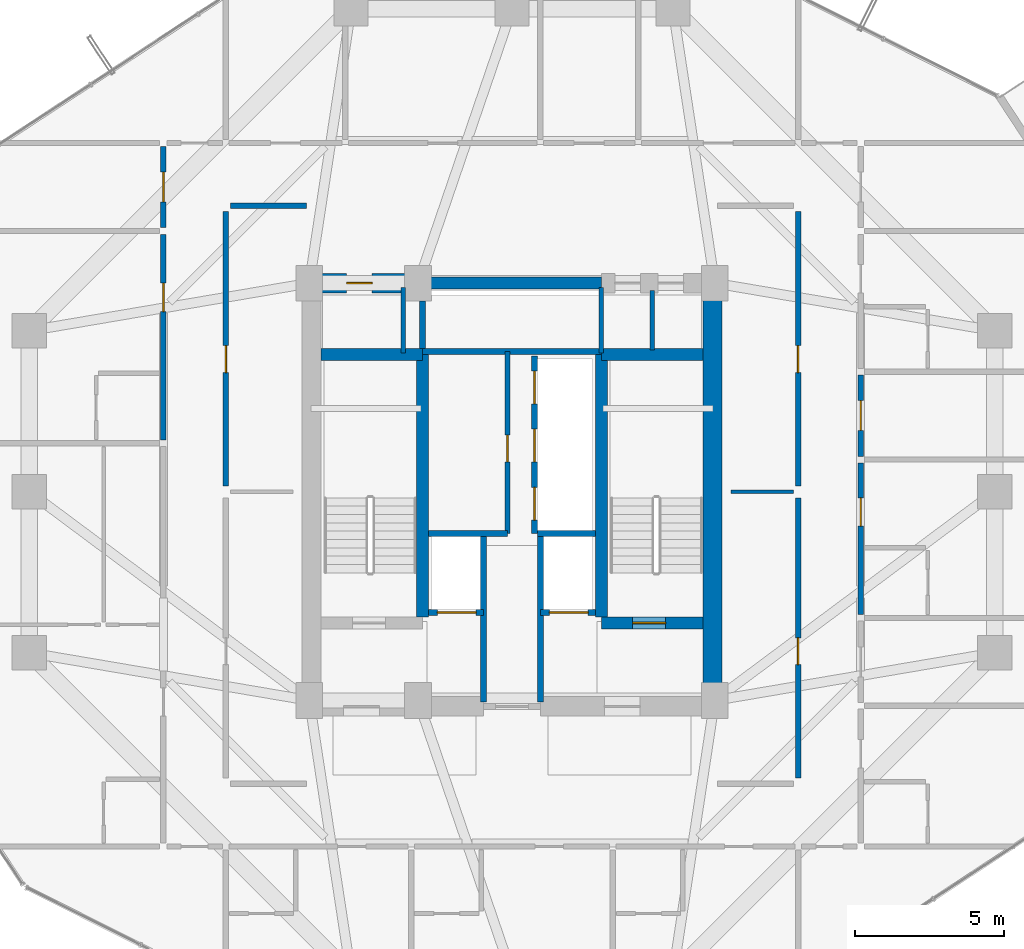
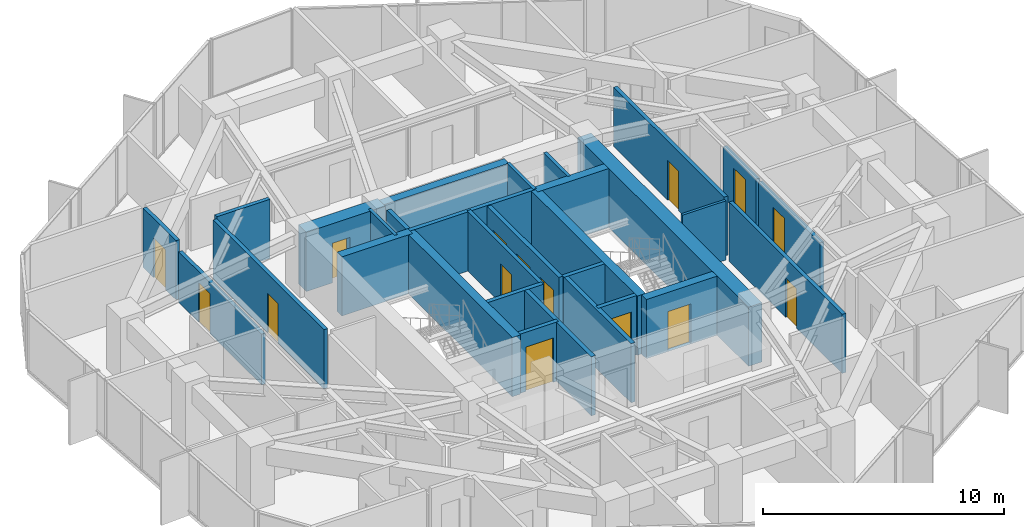
# One storey, part 29 of 33: 30 walls, 15 doors, 15 openings.
"""IFC4 building model written with IfcOpenShell, lengths in metres."""

from ifc_helpers import new_model, si_unit, direction, frame, frame_2d, origin, place, context, subcontext, project, spatial, rectangle, extrude, source, transform, mapped, material, layer, layer_set, type_object, element, fill, save


model = new_model("IFC4")

# Units and contexts
model_context = context("Model", 3, precision=1e-05, world=origin(), true_north=direction((0.0, 1.0)))
body_context = subcontext(model_context, "Body", "Model", "MODEL_VIEW")
ifc_project = project(units=[si_unit("LENGTHUNIT", "METRE"), si_unit("AREAUNIT", "SQUARE_METRE"), si_unit("VOLUMEUNIT", "CUBIC_METRE"), si_unit("PLANEANGLEUNIT", "RADIAN"), si_unit("MASSUNIT", "GRAM", prefix="KILO")], contexts=[model_context])

# Site, building, storey
site_placement = place(None, origin())
site = spatial("IfcSite", under=ifc_project, at=site_placement, CompositionType="ELEMENT")
building_placement = place(site_placement, origin())
building = spatial("IfcBuilding", under=site, at=building_placement, Name="Veraguas Prism Commons", CompositionType="ELEMENT")
storey_placement = place(building_placement, frame((0.0, 0.0, 139.25)))
storey = spatial("IfcBuildingStorey", under=building, at=storey_placement, Name="L39", CompositionType="ELEMENT", Elevation=139.25)

# Wall
ifc_material_1 = material(Name="Concrete C50/60", Category="concrete")
ifc_layer_1 = layer(ifc_material_1, 0.39990234375, Name="Clinic and Mid Core Shear Wall RC 400", Category="concrete")
ifc_layer_set_1 = layer_set([ifc_layer_1], Name="Concrete C50/60")
wall_type_1 = type_object("IfcWallType", Name="Clinic and Mid Core Shear Wall RC 400", PredefinedType="SHEAR", material=ifc_layer_set_1)
wall_1_placement = place(storey_placement, frame((21.0, 31.0, 0.0), z_axis=(0.0, 0.0, 1.0), x_axis=(1.0, 0.0, 0.0)))
element("IfcWall", 1, at=wall_1_placement, inside=storey, type_object=wall_type_1, Name="High-Rise Lift Bank Front Shear Wall L39", PredefinedType="SHEAR", context=body_context, shape_type="SweptSolid", body=[
    extrude(rectangle(XDim=6.0, YDim=0.39990234375, at=frame_2d((3.0, 0.0))), origin(), (0.0, 0.0, 1.0), 3.0),
])

# Wall, opening, door
wall_2_placement = place(storey_placement, frame((27.0, 19.60009765625, 0.0), z_axis=(0.0, 0.0, 1.0), x_axis=(1.0, 0.0, 0.0)))
wall_2 = element("IfcWall", 2, at=wall_2_placement, inside=storey, type_object=wall_type_1, Name="Stair ST-02 South Shear Wall L39", PredefinedType="SHEAR", context=body_context, shape_type="SweptSolid", body=[
    extrude(rectangle(XDim=3.39990234375, YDim=0.39990234375, at=frame_2d((1.699951171875, 0.0))), origin(), (0.0, 0.0, 1.0), 3.0),
])
opening_1_placement = place(wall_2_placement, frame((1.050048828125, 0.0, 0.0)))
opening_1 = element("IfcOpeningElement", 3, at=opening_1_placement, cuts=wall_2, Name="Opening DR-05", PredefinedType="OPENING", context=body_context, shape_type="SweptSolid", body=[
    extrude(rectangle(XDim=1.10009765625, YDim=2.030029296875, at=frame_2d((0.550048828125, 1.01513671875))), frame((0.0, 0.2099609375, 0.0), z_axis=(0.0, -1.0, 0.0), x_axis=(1.0, 0.0, 0.0)), (0.0, 0.0, 1.0), 0.419921875),
])
ifc_material_2 = material(Name="Steel fire-rated door assembly", Category="steel")
door_type_1 = type_object("IfcDoorType", Name="Protected Stair and Refuge Fire Door 1100x2030", OperationType="NOTDEFINED", PredefinedType="DOOR", material=ifc_material_2)
shared_shape_1 = source(origin(), body_context, "Body", "SweptSolid", [
    extrude(rectangle(XDim=1.10009765625, YDim=2.030029296875, at=frame_2d((0.550048828125, 1.01513671875))), frame((0.0, 0.02490234375, 0.0), z_axis=(0.0, -1.0, 0.0), x_axis=(1.0, 0.0, 0.0)), (0.0, 0.0, 1.0), 0.050048828125),
])
door_1_placement = place(opening_1_placement, origin())
door_1 = element("IfcDoor", 4, at=door_1_placement, inside=storey, type_object=door_type_1, Name="Stair ST-02 Enclosure Door L39", OperationType="SINGLE_SWING_LEFT", OverallHeight=2.030029296875, OverallWidth=1.10009765625, PredefinedType="DOOR", context=body_context, shape_type="MappedRepresentation", body=[
    mapped(shared_shape_1, transform((0.0, 0.0, 0.0), scale=1.0)),
])
fill(opening_1, door_1)

# Walls
for number, where, z_axis, x_axis, name in (
    (5, (21.0, 19.800048828125, 0.0), (0.0, 0.0, 1.0), (0.0, 1.0, 0.0), "Stair ST-01 Inner Shear Wall L39"),
    (6, (27.0, 19.800048828125, 0.0), (0.0, 0.0, 1.0), (0.0, 1.0, 0.0), "Stair ST-02 Inner Shear Wall L39"),
):
    element("IfcWall", number, at=place(storey_placement, frame(where, z_axis=z_axis, x_axis=x_axis)), inside=storey, type_object=wall_type_1, Name=name, PredefinedType="SHEAR", context=body_context, shape_type="SweptSolid", body=[
        extrude(rectangle(XDim=8.800048828125, YDim=0.39990234375, at=frame_2d((4.39990234375, 0.0))), origin(), (0.0, 0.0, 1.0), 3.0),
    ])
for number, where, z_axis, x_axis, name in (
    (7, (17.60009765625, 28.60009765625, 0.0), (0.0, 0.0, 1.0), (1.0, 0.0, 0.0), "Stair ST-01 North Shear Wall L39"),
    (8, (27.0, 28.60009765625, 0.0), (0.0, 0.0, 1.0), (1.0, 0.0, 0.0), "Stair ST-02 North Shear Wall L39"),
):
    element("IfcWall", number, at=place(storey_placement, frame(where, z_axis=z_axis, x_axis=x_axis)), inside=storey, type_object=wall_type_1, Name=name, PredefinedType="SHEAR", context=body_context, shape_type="SweptSolid", body=[
        extrude(rectangle(XDim=3.39990234375, YDim=0.39990234375, at=frame_2d((1.699951171875, 0.0))), origin(), (0.0, 0.0, 1.0), 3.0),
    ])
ifc_material_3 = material(Name="Concrete C55/67", Category="concrete")
ifc_layer_2 = layer(ifc_material_3, 0.64990234375, Name="Core Outer Shear Wall Mid RC 650", Category="concrete")
ifc_layer_set_2 = layer_set([ifc_layer_2], Name="Concrete C55/67")
wall_type_2 = type_object("IfcWallType", Name="Core Outer Shear Wall Mid RC 650", PredefinedType="SHEAR", material=ifc_layer_set_2)
wall_3_placement = place(storey_placement, frame((30.72509765625, 16.800048828125, 0.0), z_axis=(0.0, 0.0, 1.0), x_axis=(0.0, 1.0, 0.0)))
element("IfcWall", 9, at=wall_3_placement, inside=storey, type_object=wall_type_2, Name="Central Core East Shear Wall L39", PredefinedType="SHEAR", context=body_context, shape_type="SweptSolid", body=[
    extrude(rectangle(XDim=14.199951171875, YDim=0.64990234375, at=frame_2d((7.10009765625, 0.0))), origin(), (0.0, 0.0, 1.0), 3.0),
])

# Wall, opening, door
wall_4_placement = place(storey_placement, frame((17.199951171875, 31.0, 0.0), z_axis=(0.0, 0.0, 1.0), x_axis=(1.0, 0.0, 0.0)))
wall_4 = element("IfcWall", 10, at=wall_4_placement, inside=storey, type_object=wall_type_2, Name="Central Core North-West Shear Wall L39", PredefinedType="SHEAR", context=body_context, shape_type="SweptSolid", body=[
    extrude(rectangle(XDim=3.800048828125, YDim=0.64990234375, at=frame_2d((1.89990234375, 0.0))), origin(), (0.0, 0.0, 1.0), 3.0),
])
opening_2_placement = place(wall_4_placement, frame((1.25, 0.0, 0.0)))
opening_2 = element("IfcOpeningElement", 11, at=opening_2_placement, cuts=wall_4, Name="Opening DR-12", PredefinedType="OPENING", context=body_context, shape_type="SweptSolid", body=[
    extrude(rectangle(XDim=0.860107421875, YDim=2.010009765625, at=frame_2d((0.43017578125, 1.0048828125))), frame((0.0, 0.3349609375, 0.0), z_axis=(0.0, -1.0, 0.0), x_axis=(1.0, 0.0, 0.0)), (0.0, 0.0, 1.0), 0.669921875),
])
door_type_2 = type_object("IfcDoorType", Name="Core WC Fire Door 860x2010", OperationType="NOTDEFINED", PredefinedType="DOOR", material=ifc_material_2)
shared_shape_2 = source(origin(), body_context, "Body", "SweptSolid", [
    extrude(rectangle(XDim=0.860107421875, YDim=2.010009765625, at=frame_2d((0.43017578125, 1.0048828125))), frame((0.0, 0.02490234375, 0.0), z_axis=(0.0, -1.0, 0.0), x_axis=(1.0, 0.0, 0.0)), (0.0, 0.0, 1.0), 0.050048828125),
])
door_2_placement = place(opening_2_placement, origin())
door_2 = element("IfcDoor", 12, at=door_2_placement, inside=storey, type_object=door_type_2, Name="Core NW Service Door L39", OperationType="SINGLE_SWING_LEFT", OverallHeight=2.010009765625, OverallWidth=0.860107421875, PredefinedType="DOOR", context=body_context, shape_type="MappedRepresentation", body=[
    mapped(shared_shape_2, transform((0.0, 0.0, 0.0), scale=1.0)),
])
fill(opening_2, door_2)

ifc_material_4 = material(Name="Autoclaved aerated masonry block 10 MPa", Category="masonry")
ifc_layer_3 = layer(ifc_material_4, 0.179931640625, Name="Corridor and Inter-Tenancy Partition 180", Category="masonry")
ifc_layer_set_3 = layer_set([ifc_layer_3], Name="Autoclaved aerated masonry block 10 MPa")
wall_type_3 = type_object("IfcWallType", Name="Corridor and Inter-Tenancy Partition 180", PredefinedType="PARTITIONING", material=ifc_layer_set_3)
wall_5_placement = place(storey_placement, frame((23.85009765625, 22.60009765625, 0.0), z_axis=(0.0, 0.0, 1.0), x_axis=(0.0, 1.0, 0.0)))
wall_5 = element("IfcWall", 13, at=wall_5_placement, inside=storey, type_object=wall_type_3, Name="Reading Room Partition L39", PredefinedType="PARTITIONING", context=body_context, shape_type="SweptSolid", body=[
    extrude(rectangle(XDim=6.099853515625, YDim=0.179931640625, at=frame_2d((3.0498046875, 0.0))), origin(), (0.0, 0.0, 1.0), 3.0),
])
opening_3_placement = place(wall_5_placement, frame((2.39990234375, 0.0, 0.0)))
opening_3 = element("IfcOpeningElement", 14, at=opening_3_placement, cuts=wall_5, Name="Opening DR-14", PredefinedType="OPENING", context=body_context, shape_type="SweptSolid", body=[
    extrude(rectangle(XDim=0.89990234375, YDim=2.010009765625, at=frame_2d((0.449951171875, 1.0048828125))), frame((0.0, 0.099853515625, 0.0), z_axis=(0.0, -1.0, 0.0), x_axis=(1.0, 0.0, 0.0)), (0.0, 0.0, 1.0), 0.199951171875),
])
door_type_3 = type_object("IfcDoorType", Name="Core Service Room Fire Door 900x2010", OperationType="NOTDEFINED", PredefinedType="DOOR", material=ifc_material_2)
shared_shape_3 = source(origin(), body_context, "Body", "SweptSolid", [
    extrude(rectangle(XDim=0.89990234375, YDim=2.010009765625, at=frame_2d((0.449951171875, 1.0048828125))), frame((0.0, 0.02490234375, 0.0), z_axis=(0.0, -1.0, 0.0), x_axis=(1.0, 0.0, 0.0)), (0.0, 0.0, 1.0), 0.050048828125),
])
door_3_placement = place(opening_3_placement, origin())
door_3 = element("IfcDoor", 15, at=door_3_placement, inside=storey, type_object=door_type_3, Name="Reading Room Door L39", OperationType="SINGLE_SWING_RIGHT", OverallHeight=2.010009765625, OverallWidth=0.89990234375, PredefinedType="DOOR", context=body_context, shape_type="MappedRepresentation", body=[
    mapped(shared_shape_3, transform((0.0, 0.0, 0.0), scale=1.0)),
])
fill(opening_3, door_3)

wall_6_placement = place(storey_placement, frame((14.39990234375, 24.199951171875, 0.0), z_axis=(0.0, 0.0, 1.0), x_axis=(0.0, 1.0, 0.0)))
wall_6 = element("IfcWall", 16, at=wall_6_placement, inside=storey, type_object=wall_type_3, Name="WL-L39-IRW2", PredefinedType="PARTITIONING", context=body_context, shape_type="SweptSolid", body=[
    extrude(rectangle(XDim=9.199951171875, YDim=0.179931640625, at=frame_2d((4.60009765625, 0.0))), origin(), (0.0, 0.0, 1.0), 3.0),
])
opening_4_placement = place(wall_6_placement, frame((3.800048828125, 0.0, 0.0)))
opening_4 = element("IfcOpeningElement", 17, at=opening_4_placement, cuts=wall_6, Name="Opening DR-14", PredefinedType="OPENING", context=body_context, shape_type="SweptSolid", body=[
    extrude(rectangle(XDim=0.89990234375, YDim=2.010009765625, at=frame_2d((0.449951171875, 1.0048828125))), frame((0.0, 0.099853515625, 0.0), z_axis=(0.0, -1.0, 0.0), x_axis=(1.0, 0.0, 0.0)), (0.0, 0.0, 1.0), 0.199951171875),
])
door_4_placement = place(opening_4_placement, origin())
door_4 = element("IfcDoor", 18, at=door_4_placement, inside=storey, type_object=door_type_3, Name="Co-op Cycle and Pram Store Door L39", OperationType="SINGLE_SWING_RIGHT", OverallHeight=2.010009765625, OverallWidth=0.89990234375, PredefinedType="DOOR", context=body_context, shape_type="MappedRepresentation", body=[
    mapped(shared_shape_3, transform((0.0, 0.0, 0.0), scale=1.0)),
])
fill(opening_4, door_4)

wall_7_placement = place(storey_placement, frame((33.60009765625, 14.39990234375, 0.0), z_axis=(0.0, 0.0, 1.0), x_axis=(0.0, 1.0, 0.0)))
wall_7 = element("IfcWall", 19, at=wall_7_placement, inside=storey, type_object=wall_type_3, Name="WL-L39-IRE1", PredefinedType="PARTITIONING", context=body_context, shape_type="SweptSolid", body=[
    extrude(rectangle(XDim=9.400146484375, YDim=0.179931640625, at=frame_2d((4.7001953125, 0.0))), origin(), (0.0, 0.0, 1.0), 3.0),
])
opening_5_placement = place(wall_7_placement, frame((3.800048828125, 0.0, 0.0)))
opening_5 = element("IfcOpeningElement", 20, at=opening_5_placement, cuts=wall_7, Name="Opening DR-14", PredefinedType="OPENING", context=body_context, shape_type="SweptSolid", body=[
    extrude(rectangle(XDim=0.89990234375, YDim=2.010009765625, at=frame_2d((0.449951171875, 1.0048828125))), frame((0.0, 0.099853515625, 0.0), z_axis=(0.0, -1.0, 0.0), x_axis=(1.0, 0.0, 0.0)), (0.0, 0.0, 1.0), 0.199951171875),
])
door_5_placement = place(opening_5_placement, origin())
door_5 = element("IfcDoor", 21, at=door_5_placement, inside=storey, type_object=door_type_3, Name="Shared Laundry Annex Door L39", OperationType="SINGLE_SWING_LEFT", OverallHeight=2.010009765625, OverallWidth=0.89990234375, PredefinedType="DOOR", context=body_context, shape_type="MappedRepresentation", body=[
    mapped(shared_shape_3, transform((0.0, 0.0, 0.0), scale=1.0)),
])
fill(opening_5, door_5)

wall_8_placement = place(storey_placement, frame((33.60009765625, 24.199951171875, 0.0), z_axis=(0.0, 0.0, 1.0), x_axis=(0.0, 1.0, 0.0)))
wall_8 = element("IfcWall", 22, at=wall_8_placement, inside=storey, type_object=wall_type_3, Name="WL-L39-IRE2", PredefinedType="PARTITIONING", context=body_context, shape_type="SweptSolid", body=[
    extrude(rectangle(XDim=9.199951171875, YDim=0.179931640625, at=frame_2d((4.60009765625, 0.0))), origin(), (0.0, 0.0, 1.0), 3.0),
])
opening_6_placement = place(wall_8_placement, frame((3.800048828125, 0.0, 0.0)))
opening_6 = element("IfcOpeningElement", 23, at=opening_6_placement, cuts=wall_8, Name="Opening DR-14", PredefinedType="OPENING", context=body_context, shape_type="SweptSolid", body=[
    extrude(rectangle(XDim=0.89990234375, YDim=2.010009765625, at=frame_2d((0.449951171875, 1.0048828125))), frame((0.0, 0.099853515625, 0.0), z_axis=(0.0, -1.0, 0.0), x_axis=(1.0, 0.0, 0.0)), (0.0, 0.0, 1.0), 0.199951171875),
])
door_6_placement = place(opening_6_placement, origin())
door_6 = element("IfcDoor", 24, at=door_6_placement, inside=storey, type_object=door_type_3, Name="Community Reading Alcove Door L39", OperationType="SINGLE_SWING_RIGHT", OverallHeight=2.010009765625, OverallWidth=0.89990234375, PredefinedType="DOOR", context=body_context, shape_type="MappedRepresentation", body=[
    mapped(shared_shape_3, transform((0.0, 0.0, 0.0), scale=1.0)),
])
fill(opening_6, door_6)

# Wall
wall_9_placement = place(storey_placement, frame((14.550048828125, 33.60009765625, 0.0), z_axis=(0.0, 0.0, 1.0), x_axis=(1.0, 0.0, 0.0)))
element("IfcWall", 25, at=wall_9_placement, inside=storey, type_object=wall_type_3, Name="WL-L39-IRWN", PredefinedType="PARTITIONING", context=body_context, shape_type="SweptSolid", body=[
    extrude(rectangle(XDim=2.550048828125, YDim=0.179931640625, at=frame_2d((1.27490234375, 0.0))), origin(), (0.0, 0.0, 1.0), 3.0),
])

# Wall, opening, door
wall_10_placement = place(storey_placement, frame((12.300048828125, 32.860107421875, 0.0), z_axis=(0.0, 0.0, 1.0), x_axis=(0.0, 1.0, 0.0)))
wall_10 = element("IfcWall", 26, at=wall_10_placement, inside=storey, type_object=wall_type_3, Name="WL-L39-PT032", PredefinedType="PARTITIONING", context=body_context, shape_type="SweptSolid", body=[
    extrude(rectangle(XDim=2.72998046875, YDim=0.179931640625, at=frame_2d((1.364990234375, 0.0))), origin(), (0.0, 0.0, 1.0), 3.0),
])
opening_7_placement = place(wall_10_placement, frame((0.864990234375, 0.0, 0.0)))
opening_7 = element("IfcOpeningElement", 27, at=opening_7_placement, cuts=wall_10, Name="Opening DR-13", PredefinedType="OPENING", context=body_context, shape_type="SweptSolid", body=[
    extrude(rectangle(XDim=1.0, YDim=2.010009765625, at=frame_2d((0.5, 1.0048828125))), frame((0.0, 0.099853515625, 0.0), z_axis=(0.0, -1.0, 0.0), x_axis=(1.0, 0.0, 0.0)), (0.0, 0.0, 1.0), 0.199951171875),
])
door_type_4 = type_object("IfcDoorType", Name="Core Accessible WC and Clinic Fire Door 1000x2010", OperationType="NOTDEFINED", PredefinedType="DOOR", material=ifc_material_2)
shared_shape_4 = source(origin(), body_context, "Body", "SweptSolid", [
    extrude(rectangle(XDim=1.0, YDim=2.010009765625, at=frame_2d((0.5, 1.0048828125))), frame((0.0, 0.02490234375, 0.0), z_axis=(0.0, -1.0, 0.0), x_axis=(1.0, 0.0, 0.0)), (0.0, 0.0, 1.0), 0.050048828125),
])
door_7_placement = place(opening_7_placement, origin())
door_7 = element("IfcDoor", 28, at=door_7_placement, inside=storey, type_object=door_type_4, Name="Quiet Study W Door", OperationType="SINGLE_SWING_LEFT", OverallHeight=2.010009765625, OverallWidth=1.0, PredefinedType="DOOR", context=body_context, shape_type="MappedRepresentation", body=[
    mapped(shared_shape_4, transform((0.0, 0.0, 0.0), scale=1.0)),
])
fill(opening_7, door_7)

wall_11_placement = place(storey_placement, frame((12.300048828125, 25.738037109375, 0.0), z_axis=(0.0, 0.0, 1.0), x_axis=(0.0, 1.0, 0.0)))
wall_11 = element("IfcWall", 29, at=wall_11_placement, inside=storey, type_object=wall_type_3, Name="WL-L39-PT034", PredefinedType="PARTITIONING", context=body_context, shape_type="SweptSolid", body=[
    extrude(rectangle(XDim=6.90185546875, YDim=0.179931640625, at=frame_2d((3.450927734375, 0.0))), origin(), (0.0, 0.0, 1.0), 2.580078125),
])
opening_8_placement = place(wall_11_placement, frame((4.30859375, 0.0, 0.0)))
opening_8 = element("IfcOpeningElement", 30, at=opening_8_placement, cuts=wall_11, Name="Opening DR-01", PredefinedType="OPENING", context=body_context, shape_type="SweptSolid", body=[
    extrude(rectangle(XDim=0.949951171875, YDim=2.02001953125, at=frame_2d((0.47509765625, 1.010009765625))), frame((0.0, 0.099853515625, 0.0), z_axis=(0.0, -1.0, 0.0), x_axis=(1.0, 0.0, 0.0)), (0.0, 0.0, 1.0), 0.199951171875),
])
ifc_material_5 = material(Name="Anodised aluminium EN AW-6063 T6", Category="aluminium")
door_type_5 = type_object("IfcDoorType", Name="Apartment Entrance Fire Door 950x2020", OperationType="NOTDEFINED", PredefinedType="DOOR", material=ifc_material_5)
shared_shape_5 = source(origin(), body_context, "Body", "SweptSolid", [
    extrude(rectangle(XDim=0.949951171875, YDim=2.02001953125, at=frame_2d((0.47509765625, 1.010009765625))), frame((0.0, 0.02490234375, 0.0), z_axis=(0.0, -1.0, 0.0), x_axis=(1.0, 0.0, 0.0)), (0.0, 0.0, 1.0), 0.050048828125),
])
door_8_placement = place(opening_8_placement, origin())
door_8 = element("IfcDoor", 31, at=door_8_placement, inside=storey, type_object=door_type_5, Name="Studio 39E Entrance Door", OperationType="SINGLE_SWING_RIGHT", OverallHeight=2.02001953125, OverallWidth=0.949951171875, PredefinedType="DOOR", context=body_context, shape_type="MappedRepresentation", body=[
    mapped(shared_shape_5, transform((0.0, 0.0, 0.0), scale=1.0)),
])
fill(opening_8, door_8)

wall_12_placement = place(storey_placement, frame((35.699951171875, 25.19189453125, 0.0), z_axis=(0.0, 0.0, 1.0), x_axis=(0.0, 1.0, 0.0)))
wall_12 = element("IfcWall", 32, at=wall_12_placement, inside=storey, type_object=wall_type_3, Name="WL-L39-PT045", PredefinedType="PARTITIONING", context=body_context, shape_type="SweptSolid", body=[
    extrude(rectangle(XDim=2.730224609375, YDim=0.179931640625, at=frame_2d((1.365234375, 0.0))), origin(), (0.0, 0.0, 1.0), 2.580078125),
])
opening_9_placement = place(wall_12_placement, frame((0.864990234375, 0.0, 0.0)))
opening_9 = element("IfcOpeningElement", 33, at=opening_9_placement, cuts=wall_12, Name="Opening DR-13", PredefinedType="OPENING", context=body_context, shape_type="SweptSolid", body=[
    extrude(rectangle(XDim=1.0, YDim=2.010009765625, at=frame_2d((0.5, 1.0048828125))), frame((0.0, 0.099853515625, 0.0), z_axis=(0.0, -1.0, 0.0), x_axis=(1.0, 0.0, 0.0)), (0.0, 0.0, 1.0), 0.199951171875),
])
door_9_placement = place(opening_9_placement, origin())
door_9 = element("IfcDoor", 34, at=door_9_placement, inside=storey, type_object=door_type_4, Name="Quiet Study E Door", OperationType="SINGLE_SWING_LEFT", OverallHeight=2.010009765625, OverallWidth=1.0, PredefinedType="DOOR", context=body_context, shape_type="MappedRepresentation", body=[
    mapped(shared_shape_4, transform((0.0, 0.0, 0.0), scale=1.0)),
])
fill(opening_9, door_9)

wall_13_placement = place(storey_placement, frame((35.699951171875, 19.8779296875, 0.0), z_axis=(0.0, 0.0, 1.0), x_axis=(0.0, 1.0, 0.0)))
wall_13 = element("IfcWall", 35, at=wall_13_placement, inside=storey, type_object=wall_type_3, Name="WL-L39-PT047", PredefinedType="PARTITIONING", context=body_context, shape_type="SweptSolid", body=[
    extrude(rectangle(XDim=5.093994140625, YDim=0.179931640625, at=frame_2d((2.546875, 0.0))), origin(), (0.0, 0.0, 1.0), 2.580078125),
])
opening_10_placement = place(wall_13_placement, frame((2.970703125, 0.0, 0.0)))
opening_10 = element("IfcOpeningElement", 36, at=opening_10_placement, cuts=wall_13, Name="Opening DR-01", PredefinedType="OPENING", context=body_context, shape_type="SweptSolid", body=[
    extrude(rectangle(XDim=0.949951171875, YDim=2.02001953125, at=frame_2d((0.47509765625, 1.010009765625))), frame((0.0, 0.099853515625, 0.0), z_axis=(0.0, -1.0, 0.0), x_axis=(1.0, 0.0, 0.0)), (0.0, 0.0, 1.0), 0.199951171875),
])
door_10_placement = place(opening_10_placement, origin())
door_10 = element("IfcDoor", 37, at=door_10_placement, inside=storey, type_object=door_type_5, Name="Studio 39G Entrance Door", OperationType="SINGLE_SWING_RIGHT", OverallHeight=2.02001953125, OverallWidth=0.949951171875, PredefinedType="DOOR", context=body_context, shape_type="MappedRepresentation", body=[
    mapped(shared_shape_5, transform((0.0, 0.0, 0.0), scale=1.0)),
])
fill(opening_10, door_10)

# Wall
ifc_material_6 = material(Name="Lightweight acoustic gypsum board")
ifc_layer_4 = layer(ifc_material_6, 0.125, Name="Internal Apartment Room Partition 125")
ifc_layer_set_4 = layer_set([ifc_layer_4], Name="Lightweight acoustic gypsum board")
wall_type_4 = type_object("IfcWallType", Name="Internal Apartment Room Partition 125", PredefinedType="PARTITIONING", material=ifc_layer_set_4)
wall_14_placement = place(storey_placement, frame((31.35009765625, 24.0, 0.0), z_axis=(0.0, 0.0, 1.0), x_axis=(1.0, 0.0, 0.0)))
element("IfcWall", 38, at=wall_14_placement, inside=storey, type_object=wall_type_4, Name="WL-L39-IREM", PredefinedType="PARTITIONING", context=body_context, shape_type="SweptSolid", body=[
    extrude(rectangle(XDim=2.099853515625, YDim=0.125, at=frame_2d((1.0498046875, 0.0))), origin(), (0.0, 0.0, 1.0), 3.0),
])

# Wall, opening, door
ifc_layer_5 = layer(ifc_material_4, 0.199951171875, Name="Rated Shaft and Lobby Block Wall 200", Category="masonry")
ifc_layer_set_5 = layer_set([ifc_layer_5], Name="Autoclaved aerated masonry block 10 MPa")
wall_type_5 = type_object("IfcWallType", Name="Rated Shaft and Lobby Block Wall 200", PredefinedType="SOLIDWALL", material=ifc_layer_set_5)
wall_15_placement = place(storey_placement, frame((21.199951171875, 19.949951171875, 0.0), z_axis=(0.0, 0.0, 1.0), x_axis=(1.0, 0.0, 0.0)))
wall_15 = element("IfcWall", 39, at=wall_15_placement, inside=storey, type_object=wall_type_5, Name="Firefighting Lift FFL-1 Front Wall L39", PredefinedType="SOLIDWALL", context=body_context, shape_type="SweptSolid", body=[
    extrude(rectangle(XDim=1.85009765625, YDim=0.199951171875, at=frame_2d((0.925048828125, 0.0))), origin(), (0.0, 0.0, 1.0), 3.0),
])
opening_11_placement = place(wall_15_placement, frame((0.300048828125, 0.0, 0.0)))
opening_11 = element("IfcOpeningElement", 40, at=opening_11_placement, cuts=wall_15, Name="Opening LD-02", PredefinedType="OPENING", context=body_context, shape_type="SweptSolid", body=[
    extrude(rectangle(XDim=1.300048828125, YDim=2.25, at=frame_2d((0.64990234375, 1.125))), frame((0.0, 0.10986328125, 0.0), z_axis=(0.0, -1.0, 0.0), x_axis=(1.0, 0.0, 0.0)), (0.0, 0.0, 1.0), 0.219970703125),
])
ifc_material_7 = material(Name="Stainless steel AISI 316", Category="steel")
door_type_6 = type_object("IfcDoorType", Name="Firefighting Lift Sliding Landing Door 1300x2250", OperationType="NOTDEFINED", PredefinedType="DOOR", material=ifc_material_7)
shared_shape_6 = source(origin(), body_context, "Body", "SweptSolid", [
    extrude(rectangle(XDim=1.300048828125, YDim=2.25, at=frame_2d((0.64990234375, 1.125))), frame((0.0, 0.02490234375, 0.0), z_axis=(0.0, -1.0, 0.0), x_axis=(1.0, 0.0, 0.0)), (0.0, 0.0, 1.0), 0.050048828125),
])
door_11_placement = place(opening_11_placement, origin())
door_11 = element("IfcDoor", 41, at=door_11_placement, inside=storey, type_object=door_type_6, Name="Firefighting Lift FFL-1 Landing Door L39", OperationType="SLIDING_TO_LEFT", OverallHeight=2.25, OverallWidth=1.300048828125, PredefinedType="DOOR", context=body_context, shape_type="MappedRepresentation", body=[
    mapped(shared_shape_6, transform((0.0, 0.0, 0.0), scale=1.0)),
])
fill(opening_11, door_11)

wall_16_placement = place(storey_placement, frame((24.949951171875, 19.949951171875, 0.0), z_axis=(0.0, 0.0, 1.0), x_axis=(1.0, 0.0, 0.0)))
wall_16 = element("IfcWall", 42, at=wall_16_placement, inside=storey, type_object=wall_type_5, Name="Firefighting Lift FFL-2 Front Wall L39", PredefinedType="SOLIDWALL", context=body_context, shape_type="SweptSolid", body=[
    extrude(rectangle(XDim=1.85009765625, YDim=0.199951171875, at=frame_2d((0.925048828125, 0.0))), origin(), (0.0, 0.0, 1.0), 3.0),
])
opening_12_placement = place(wall_16_placement, frame((0.300048828125, 0.0, 0.0)))
opening_12 = element("IfcOpeningElement", 43, at=opening_12_placement, cuts=wall_16, Name="Opening LD-02", PredefinedType="OPENING", context=body_context, shape_type="SweptSolid", body=[
    extrude(rectangle(XDim=1.300048828125, YDim=2.25, at=frame_2d((0.64990234375, 1.125))), frame((0.0, 0.10986328125, 0.0), z_axis=(0.0, -1.0, 0.0), x_axis=(1.0, 0.0, 0.0)), (0.0, 0.0, 1.0), 0.219970703125),
])
door_12_placement = place(opening_12_placement, origin())
door_12 = element("IfcDoor", 44, at=door_12_placement, inside=storey, type_object=door_type_6, Name="Firefighting Lift FFL-2 Front Wall L39", OperationType="SLIDING_TO_LEFT", OverallHeight=2.25, OverallWidth=1.300048828125, PredefinedType="DOOR", context=body_context, shape_type="MappedRepresentation", body=[
    mapped(shared_shape_6, transform((0.0, 0.0, 0.0), scale=1.0)),
])
fill(opening_12, door_12)

# Walls
for number, where, z_axis, x_axis, name in (
    (45, (23.050048828125, 16.949951171875, 0.0), (0.0, 0.0, 1.0), (0.0, 1.0, 0.0), "West FF Lobby Divider Wall L39"),
    (46, (24.949951171875, 16.949951171875, 0.0), (0.0, 0.0, 1.0), (0.0, 1.0, 0.0), "East FF Lobby Divider Wall L39"),
):
    element("IfcWall", number, at=place(storey_placement, frame(where, z_axis=z_axis, x_axis=x_axis)), inside=storey, type_object=wall_type_5, Name=name, PredefinedType="SOLIDWALL", context=body_context, shape_type="SweptSolid", body=[
        extrude(rectangle(XDim=5.60009765625, YDim=0.199951171875, at=frame_2d((2.800048828125, 0.0))), origin(), (0.0, 0.0, 1.0), 3.0),
    ])
wall_17_placement = place(storey_placement, frame((21.199951171875, 22.60009765625, 0.0), z_axis=(0.0, 0.0, 1.0), x_axis=(1.0, 0.0, 0.0)))
element("IfcWall", 47, at=wall_17_placement, inside=storey, type_object=wall_type_5, Name="Firefighting Lift FFL-1 Rear Wall L39", PredefinedType="SOLIDWALL", context=body_context, shape_type="SweptSolid", body=[
    extrude(rectangle(XDim=2.650146484375, YDim=0.199951171875, at=frame_2d((1.3251953125, 0.0))), origin(), (0.0, 0.0, 1.0), 3.0),
])
wall_18_placement = place(storey_placement, frame((24.85009765625, 22.60009765625, 0.0), z_axis=(0.0, 0.0, 1.0), x_axis=(1.0, 0.0, 0.0)))
element("IfcWall", 48, at=wall_18_placement, inside=storey, type_object=wall_type_5, Name="Firefighting Lift FFL-2 Rear Wall L39", PredefinedType="SOLIDWALL", context=body_context, shape_type="SweptSolid", body=[
    extrude(rectangle(XDim=1.949951171875, YDim=0.199951171875, at=frame_2d((0.97509765625, 0.0))), origin(), (0.0, 0.0, 1.0), 3.0),
])
wall_19_placement = place(storey_placement, frame((21.0, 28.699951171875, 0.0), z_axis=(0.0, 0.0, 1.0), x_axis=(1.0, 0.0, 0.0)))
element("IfcWall", 49, at=wall_19_placement, inside=storey, type_object=wall_type_5, Name="High-Rise Lift Bank Rear Shaft Wall L39", PredefinedType="SOLIDWALL", context=body_context, shape_type="SweptSolid", body=[
    extrude(rectangle(XDim=6.0, YDim=0.199951171875, at=frame_2d((3.0, 0.0))), origin(), (0.0, 0.0, 1.0), 3.0),
])
wall_20_placement = place(storey_placement, frame((21.0, 28.800048828125, 0.0), z_axis=(0.0, 0.0, 1.0), x_axis=(0.0, 1.0, 0.0)))
element("IfcWall", 50, at=wall_20_placement, inside=storey, type_object=wall_type_5, Name="High-Rise Lift Bank West Shaft Wall L39", PredefinedType="SOLIDWALL", context=body_context, shape_type="SweptSolid", body=[
    extrude(rectangle(XDim=1.599853515625, YDim=0.199951171875, at=frame_2d((0.7998046875, 0.0))), origin(), (0.0, 0.0, 1.0), 3.0),
])

# Wall, openings, doors
wall_21_placement = place(storey_placement, frame((24.75, 22.60009765625, 0.0), z_axis=(0.0, 0.0, 1.0), x_axis=(0.0, 1.0, 0.0)))
wall_21 = element("IfcWall", 51, at=wall_21_placement, inside=storey, type_object=wall_type_5, Name="Mid-Rise Lift Bank Front Wall L39", PredefinedType="SOLIDWALL", context=body_context, shape_type="SweptSolid", body=[
    extrude(rectangle(XDim=5.949951171875, YDim=0.199951171875, at=frame_2d((2.97509765625, 0.0))), origin(), (0.0, 0.0, 1.0), 3.0),
])
opening_13_placement = place(wall_21_placement, frame((0.449951171875, 0.0, 0.0)))
opening_13 = element("IfcOpeningElement", 52, at=opening_13_placement, cuts=wall_21, Name="Opening LD-01", PredefinedType="OPENING", context=body_context, shape_type="SweptSolid", body=[
    extrude(rectangle(XDim=1.10009765625, YDim=2.080078125, at=frame_2d((0.550048828125, 1.0400390625))), frame((0.0, 0.10986328125, 0.0), z_axis=(0.0, -1.0, 0.0), x_axis=(1.0, 0.0, 0.0)), (0.0, 0.0, 1.0), 0.219970703125),
])
opening_14_placement = place(wall_21_placement, frame((2.39990234375, 0.0, 0.0)))
opening_14 = element("IfcOpeningElement", 53, at=opening_14_placement, cuts=wall_21, Name="Opening LD-01", PredefinedType="OPENING", context=body_context, shape_type="SweptSolid", body=[
    extrude(rectangle(XDim=1.10009765625, YDim=2.080078125, at=frame_2d((0.550048828125, 1.0400390625))), frame((0.0, 0.10986328125, 0.0), z_axis=(0.0, -1.0, 0.0), x_axis=(1.0, 0.0, 0.0)), (0.0, 0.0, 1.0), 0.219970703125),
])
opening_15_placement = place(wall_21_placement, frame((4.35009765625, 0.0, 0.0)))
opening_15 = element("IfcOpeningElement", 54, at=opening_15_placement, cuts=wall_21, Name="Opening LD-01", PredefinedType="OPENING", context=body_context, shape_type="SweptSolid", body=[
    extrude(rectangle(XDim=1.10009765625, YDim=2.080078125, at=frame_2d((0.550048828125, 1.0400390625))), frame((0.0, 0.10986328125, 0.0), z_axis=(0.0, -1.0, 0.0), x_axis=(1.0, 0.0, 0.0)), (0.0, 0.0, 1.0), 0.219970703125),
])
door_type_7 = type_object("IfcDoorType", Name="Passenger Lift Sliding Landing Door 1100x2080", OperationType="NOTDEFINED", PredefinedType="DOOR", material=ifc_material_7)
shared_shape_7 = source(origin(), body_context, "Body", "SweptSolid", [
    extrude(rectangle(XDim=1.10009765625, YDim=2.080078125, at=frame_2d((0.550048828125, 1.0400390625))), frame((0.0, 0.02490234375, 0.0), z_axis=(0.0, -1.0, 0.0), x_axis=(1.0, 0.0, 0.0)), (0.0, 0.0, 1.0), 0.050048828125),
])
door_13_placement = place(opening_13_placement, origin())
door_13 = element("IfcDoor", 55, at=door_13_placement, inside=storey, type_object=door_type_7, Name="Sliding Landing Door PL-M1 L39", OperationType="SLIDING_TO_LEFT", OverallHeight=2.080078125, OverallWidth=1.10009765625, PredefinedType="DOOR", context=body_context, shape_type="MappedRepresentation", body=[
    mapped(shared_shape_7, transform((0.0, 0.0, 0.0), scale=1.0)),
])
fill(opening_13, door_13)
door_14_placement = place(opening_14_placement, origin())
door_14 = element("IfcDoor", 56, at=door_14_placement, inside=storey, type_object=door_type_7, Name="Sliding Landing Door PL-M2 L39", OperationType="SLIDING_TO_LEFT", OverallHeight=2.080078125, OverallWidth=1.10009765625, PredefinedType="DOOR", context=body_context, shape_type="MappedRepresentation", body=[
    mapped(shared_shape_7, transform((0.0, 0.0, 0.0), scale=1.0)),
])
fill(opening_14, door_14)
door_15_placement = place(opening_15_placement, origin())
door_15 = element("IfcDoor", 57, at=door_15_placement, inside=storey, type_object=door_type_7, Name="Sliding Landing Door PL-M3 L39", OperationType="SLIDING_TO_LEFT", OverallHeight=2.080078125, OverallWidth=1.10009765625, PredefinedType="DOOR", context=body_context, shape_type="MappedRepresentation", body=[
    mapped(shared_shape_7, transform((0.0, 0.0, 0.0), scale=1.0)),
])
fill(opening_15, door_15)

# Walls
ifc_layer_6 = layer(ifc_material_6, 0.14990234375, Name="Wet Room and Clinic Acoustic Partition 150")
ifc_layer_set_6 = layer_set([ifc_layer_6], Name="Lightweight acoustic gypsum board")
wall_type_6 = type_object("IfcWallType", Name="Wet Room and Clinic Acoustic Partition 150", PredefinedType="PARTITIONING", material=ifc_layer_set_6)
for number, where, z_axis, x_axis, name in (
    (58, (20.35009765625, 28.64990234375, 0.0), (0.0, 0.0, 1.0), (0.0, 1.0, 0.0), "Core NW Service Inner Wall L39"),
    (59, (27.0, 28.64990234375, 0.0), (0.0, 0.0, 1.0), (0.0, 1.0, 0.0), "Core NE Service Inner Wall L39"),
):
    element("IfcWall", number, at=place(storey_placement, frame(where, z_axis=z_axis, x_axis=x_axis)), inside=storey, type_object=wall_type_6, Name=name, PredefinedType="PARTITIONING", context=body_context, shape_type="SweptSolid", body=[
        extrude(rectangle(XDim=2.2001953125, YDim=0.14990234375, at=frame_2d((1.10009765625, 0.0))), origin(), (0.0, 0.0, 1.0), 3.0),
    ])
wall_22_placement = place(storey_placement, frame((28.699951171875, 28.75, 0.0), z_axis=(0.0, 0.0, 1.0), x_axis=(0.0, 1.0, 0.0)))
element("IfcWall", 60, at=wall_22_placement, inside=storey, type_object=wall_type_6, Name="WL-L39-CSVD1", PredefinedType="PARTITIONING", context=body_context, shape_type="SweptSolid", body=[
    extrude(rectangle(XDim=2.0, YDim=0.14990234375, at=frame_2d((1.0, 0.0))), origin(), (0.0, 0.0, 1.0), 3.0),
])

save(model, "model.ifc")
